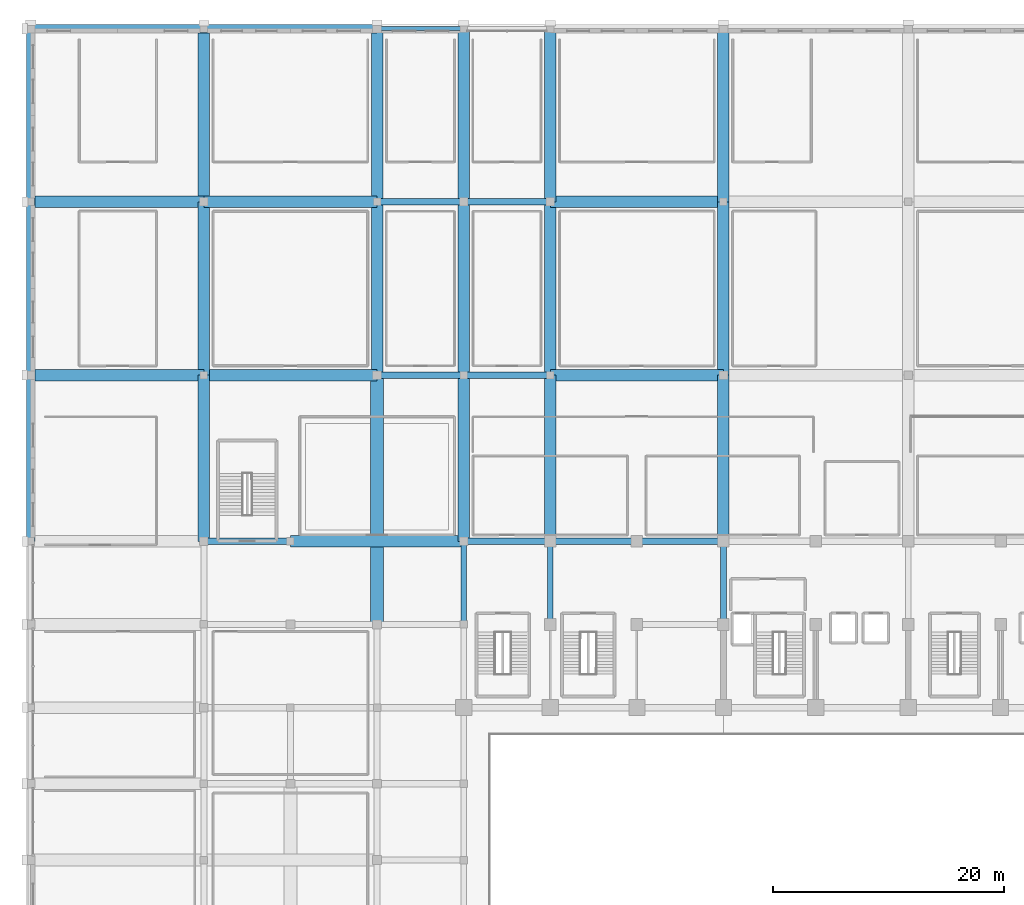
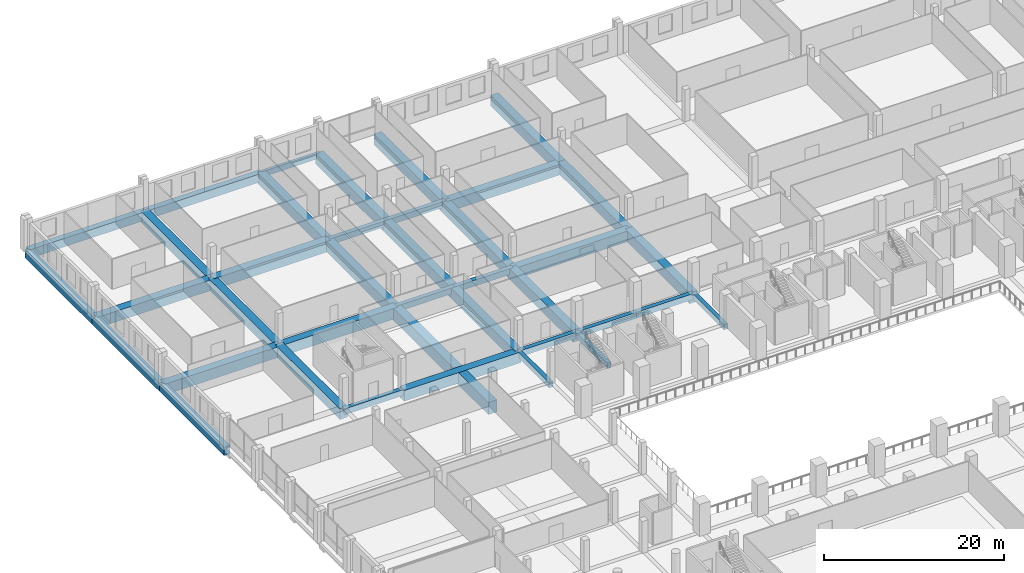
# One storey, part 27 of 64: 39 beams.
"""IFC4 building model written with IfcOpenShell, lengths in metres."""

import ifcopenshell
import ifcopenshell.guid

model = None  # the IFC model being written
_history = None  # IfcOwnerHistory: only IFC2X3 demands one
_inside = {}  # id of a spatial element -> (the spatial element, [elements in it])
_under = {}  # id of a project, library or spatial element -> (it, [spatial elements below it])
_declared = {}  # id of a project -> (the project, [libraries it declares])
_typed = {}  # id of a type object -> (the type object, [elements of that type])
_made_of = {}  # id of a material, layer set ... -> (it, [elements and type objects made of it])


def new_model(schema):
    """Start an empty IFC model of exactly this schema.

    Asked for "IFC4X3", IfcOpenShell would pick the latest addendum, in which some entities
    have other attributes; the version numbers below select the first issue.
    IFC2X3 requires an IfcOwnerHistory on every rooted entity: one is made here for all.
    """
    global model, _history
    if schema == "IFC4X3":
        model = ifcopenshell.file(schema_version=(4, 3, 0, 0))
    else:
        model = ifcopenshell.file(schema=schema)
    _inside.clear()
    _under.clear()
    _declared.clear()
    _typed.clear()
    _made_of.clear()
    _history = None
    if model.schema == "IFC2X3":
        org = make("IfcOrganization", Name="unknown")
        user = make(
            "IfcPersonAndOrganization",
            ThePerson=make("IfcPerson", FamilyName="unknown"),
            TheOrganization=org,
        )
        app = make(
            "IfcApplication",
            ApplicationDeveloper=org,
            Version="unknown",
            ApplicationFullName="unknown",
            ApplicationIdentifier="unknown",
        )
        _history = make(
            "IfcOwnerHistory",
            OwningUser=user,
            OwningApplication=app,
            ChangeAction="ADDED",
            CreationDate=0,
        )
    return model


def make(cls, **values):
    """One entity of the class cls with the attributes given. An attribute that is None is left unset."""
    return model.create_entity(
        cls, **{name: value for name, value in values.items() if value is not None}
    )


def rooted(cls, **values):
    """An entity with a GlobalId (a new one), such as an element, a storey or a relation."""
    return make(cls, GlobalId=ifcopenshell.guid.new(), OwnerHistory=_history, **values)


def si_unit(unit_type, name, prefix=None):
    """IfcSIUnit, for example si_unit("LENGTHUNIT", "METRE", prefix="MILLI")."""
    return make("IfcSIUnit", UnitType=unit_type, Prefix=prefix, Name=name)


def assignment(units):
    """IfcUnitAssignment: the units of a project."""
    return None if units is None else make("IfcUnitAssignment", Units=units)


def point(xyz):
    """IfcCartesianPoint."""
    return None if xyz is None else make("IfcCartesianPoint", Coordinates=xyz)


def direction(xyz):
    """IfcDirection."""
    return None if xyz is None else make("IfcDirection", DirectionRatios=xyz)


def frame(location, z_axis=None, x_axis=None):
    """IfcAxis2Placement3D, a coordinate frame: its origin and axes. An axis left out is left unset."""
    return make(
        "IfcAxis2Placement3D",
        Location=point(location),
        Axis=direction(z_axis),
        RefDirection=direction(x_axis),
    )


def frame_2d(location, x_axis=None):
    """IfcAxis2Placement2D, a coordinate frame in the plane: its origin and x axis."""
    return make(
        "IfcAxis2Placement2D", Location=point(location), RefDirection=direction(x_axis)
    )


def origin():
    """The frame at (0, 0, 0) with its axes left unset."""
    return frame((0.0, 0.0, 0.0))


def origin_2d():
    """The frame at (0, 0) in the plane with its x axis left unset."""
    return frame_2d((0.0, 0.0))


def place(relative_to, where):
    """IfcLocalPlacement: puts the frame where relative to a parent placement (None: the world)."""
    return make(
        "IfcLocalPlacement", PlacementRelTo=relative_to, RelativePlacement=where
    )


def context(
    kind, dimensions, precision=None, world=None, true_north=None, identifier=None
):
    """IfcGeometricRepresentationContext, for example the 3D "Model" context."""
    return make(
        "IfcGeometricRepresentationContext",
        ContextIdentifier=identifier,
        ContextType=kind,
        CoordinateSpaceDimension=dimensions,
        Precision=precision,
        WorldCoordinateSystem=world,
        TrueNorth=true_north,
    )


def subcontext(parent, identifier, kind, view, scale=None):
    """IfcGeometricRepresentationSubContext, for example "Body" below "Model"."""
    return make(
        "IfcGeometricRepresentationSubContext",
        ContextIdentifier=identifier,
        ContextType=kind,
        ParentContext=parent,
        TargetScale=scale,
        TargetView=view,
    )


def project(units=None, contexts=None):
    """IfcProject with its units and contexts."""
    return rooted(
        "IfcProject",
        Name="project",
        RepresentationContexts=contexts,
        UnitsInContext=assignment(units),
    )


def spatial(cls, under=None, at=None, **own):
    """A site, building, storey or space (cls), placed at a placement, below another one or the project."""
    s = rooted(cls, ObjectPlacement=at, **own)
    if under is not None:
        _under.setdefault(under.id(), (under, []))[1].append(s)
    return s


def profile(cls, at=None, kind="AREA", **sizes):
    """A parametric profile (cls). Its sizes go by their IFC names, for example OverallWidth=200.0."""
    return make(cls, ProfileType=kind, Position=at, **sizes)


def rectangle(**sizes):
    """IfcRectangleProfileDef."""
    return profile("IfcRectangleProfileDef", **sizes)


def extrude(swept, where, along, depth):
    """IfcExtrudedAreaSolid: the profile swept, set in the frame where, extruded along a direction by depth."""
    return make(
        "IfcExtrudedAreaSolid",
        SweptArea=swept,
        Position=where,
        ExtrudedDirection=direction(along),
        Depth=depth,
    )


def shape(context_of_items, identifier, shape_type, items):
    """IfcShapeRepresentation: the items that make up one representation, for example the "Body"."""
    return make(
        "IfcShapeRepresentation",
        ContextOfItems=context_of_items,
        RepresentationIdentifier=identifier,
        RepresentationType=shape_type,
        Items=items,
    )


def material(Name=None, Category=None):
    """IfcMaterial."""
    return make("IfcMaterial", Name=Name, Category=Category)


def material_profile(
    of_material, cross_section, Name=None, Category=None, Priority=None
):
    """IfcMaterialProfile: a cross section and its material."""
    return make(
        "IfcMaterialProfile",
        Name=Name,
        Material=of_material,
        Profile=cross_section,
        Priority=Priority,
        Category=Category,
    )


def profile_set(profiles, Name=None, composite=None):
    """IfcMaterialProfileSet."""
    return make(
        "IfcMaterialProfileSet",
        Name=Name,
        MaterialProfiles=profiles,
        CompositeProfile=composite,
    )


def made_of(thing, what):
    """Note that an element or type object is made of a material, layer set ...; save() writes the relation."""
    if what is not None:
        _made_of.setdefault(what.id(), (what, []))[1].append(thing)
    return thing


def type_object(cls, material=None, **own):
    """A type object (cls), such as IfcWallType, which elements share."""
    return made_of(rooted(cls, **own), material)


def element(
    cls,
    number,
    at=None,
    inside=None,
    cuts=None,
    type_object=None,
    material=None,
    context=None,
    identifier="Body",
    shape_type=None,
    held_by="IfcProductDefinitionShape",
    body=None,
    shapes=None,
    **own,
):
    """One element of the class cls, such as IfcWall. Its Tag is "e" and its number.

    at: its placement. inside: the storey or other place that contains it. cuts: it is an
    opening in that element (IfcRelVoidsElement). A single representation is given by context,
    identifier, shape_type and body (its items); several are given by shapes. held_by: the class
    of the entity that holds the representations. save() writes the other relations.
    """
    e = rooted(cls, Tag="e%d" % number, ObjectPlacement=at, **own)
    if body is not None:
        shapes = [shape(context, identifier, shape_type, body)]
    if shapes is not None:
        e.Representation = make(held_by, Representations=shapes)
    if inside is not None:
        _inside.setdefault(inside.id(), (inside, []))[1].append(e)
    if cuts is not None:
        rooted(
            "IfcRelVoidsElement", RelatingBuildingElement=cuts, RelatedOpeningElement=e
        )
    if type_object is not None:
        _typed.setdefault(type_object.id(), (type_object, []))[1].append(e)
    return made_of(e, material)


def aggregate(whole, parts):
    """IfcRelAggregates: a whole, such as a stair, and the parts it consists of."""
    return rooted("IfcRelAggregates", RelatingObject=whole, RelatedObjects=parts)


def save(model, path):
    """Write the relations noted so far, then the file.

    IfcRelAggregates (storeys below a building ...), IfcRelContainedInSpatialStructure (elements
    in a storey), IfcRelDefinesByType, IfcRelAssociatesMaterial and IfcRelDeclares: one each for
    every whole, place, type object, material and project.
    """
    for whole, parts in _under.values():
        aggregate(whole, parts)
    for where, things in _inside.values():
        rooted(
            "IfcRelContainedInSpatialStructure",
            RelatedElements=things,
            RelatingStructure=where,
        )
    for kind, things in _typed.values():
        rooted("IfcRelDefinesByType", RelatedObjects=things, RelatingType=kind)
    for what, things in _made_of.values():
        rooted("IfcRelAssociatesMaterial", RelatedObjects=things, RelatingMaterial=what)
    for by, libraries in _declared.values():
        rooted("IfcRelDeclares", RelatingContext=by, RelatedDefinitions=libraries)
    model.write(path)


model = new_model("IFC4")

# Units and contexts
model_context = context("Model", 3, precision=1e-05, world=origin(), true_north=direction((0.0, 1.0)))
body_context = subcontext(model_context, "Body", "Model", "MODEL_VIEW")
ifc_project = project(units=[si_unit("LENGTHUNIT", "METRE"), si_unit("AREAUNIT", "SQUARE_METRE"), si_unit("VOLUMEUNIT", "CUBIC_METRE"), si_unit("PLANEANGLEUNIT", "RADIAN"), si_unit("MASSUNIT", "GRAM", prefix="KILO")], contexts=[model_context])

# Site, building, storey
site_placement = place(None, origin())
site = spatial("IfcSite", under=ifc_project, at=site_placement, CompositionType="ELEMENT")
building_placement = place(site_placement, origin())
building = spatial("IfcBuilding", under=site, at=building_placement, Name="Akrevak Sports Hall", CompositionType="ELEMENT")
storey_placement = place(building_placement, frame((0.0, 0.0, 4.60009765625)))
storey = spatial("IfcBuildingStorey", under=building, at=storey_placement, Name="L01", CompositionType="ELEMENT", Elevation=4.60009765625)

# Beams
ifc_material_1 = material(Name="Concrete C50/60", Category="concrete")
ifc_material_profile_1 = material_profile(ifc_material_1, rectangle(XDim=1.0, YDim=1.449951171875, at=origin_2d()), Name="BM 1000x1450", Category="concrete")
ifc_profile_set_1 = profile_set([ifc_material_profile_1], Name="Concrete C50/60")
beam_type_1 = type_object("IfcBeamType", Name="STR-BM-LG1000x1450", PredefinedType="BEAM", material=ifc_profile_set_1)
for number, where, z_axis, x_axis, name in (
    (1, (22.5, 69.60009765625, -0.72509765625), (1.0, 0.0, 0.0), (0.0, 1.0, 0.0), "Girder K/4-6 (L01)"),
    (2, (0.0, 84.0, -0.72509765625), (1.0, 0.0, 0.0), (0.0, 1.0, 0.0), "Girder M/1-3 (L01)"),
    (3, (15.0, 84.0, -0.72509765625), (1.0, 0.0, 0.0), (0.0, 1.0, 0.0), "Girder M/3-5 (L01)"),
    (4, (45.0, 84.0, -0.72509765625), (1.0, 0.0, 0.0), (0.0, 1.0, 0.0), "Girder M/7-9 (L01)"),
    (5, (0.0, 99.0, -0.72509765625), (1.0, 0.0, 0.0), (0.0, 1.0, 0.0), "Girder O/1-3 (L01)"),
    (6, (15.0, 99.0, -0.72509765625), (1.0, 0.0, 0.0), (0.0, 1.0, 0.0), "Girder O/3-5 (L01)"),
    (7, (45.0, 99.0, -0.72509765625), (1.0, 0.0, 0.0), (0.0, 1.0, 0.0), "Girder O/7-9 (L01)"),
):
    element("IfcBeam", number, at=place(storey_placement, frame(where, z_axis=z_axis, x_axis=x_axis)), inside=storey, type_object=beam_type_1, Name=name, PredefinedType="BEAM", context=body_context, shape_type="SweptSolid", body=[
        extrude(rectangle(XDim=1.0, YDim=1.449951171875, at=origin_2d()), origin(), (0.0, 0.0, 1.0), 15.0),
    ])
beam_1_placement = place(storey_placement, frame((15.0, 69.60009765625, -0.72509765625), z_axis=(0.0, 1.0, 0.0), x_axis=(-1.0, 0.0, 0.0)))
element("IfcBeam", 8, at=beam_1_placement, inside=storey, type_object=beam_type_1, Name="Girder 3/K-M (L01)", PredefinedType="BEAM", context=body_context, shape_type="SweptSolid", body=[
    extrude(rectangle(XDim=1.0, YDim=1.449951171875, at=origin_2d()), origin(), (0.0, 0.0, 1.0), 14.39990234375),
])
for number, where, z_axis, x_axis, name in (
    (9, (15.0, 84.0, -0.72509765625), (0.0, 1.0, 0.0), (-1.0, 0.0, 0.0), "Girder 3/M-O (L01)"),
    (10, (15.0, 99.0, -0.72509765625), (0.0, 1.0, 0.0), (-1.0, 0.0, 0.0), "Girder 3/O-Q (L01)"),
    (11, (30.0, 84.0, -0.72509765625), (0.0, 1.0, 0.0), (-1.0, 0.0, 0.0), "Girder 5/M-O (L01)"),
    (12, (30.0, 99.0, -0.72509765625), (0.0, 1.0, 0.0), (-1.0, 0.0, 0.0), "Girder 5/O-Q (L01)"),
):
    element("IfcBeam", number, at=place(storey_placement, frame(where, z_axis=z_axis, x_axis=x_axis)), inside=storey, type_object=beam_type_1, Name=name, PredefinedType="BEAM", context=body_context, shape_type="SweptSolid", body=[
        extrude(rectangle(XDim=1.0, YDim=1.449951171875, at=origin_2d()), origin(), (0.0, 0.0, 1.0), 15.0),
    ])
beam_2_placement = place(storey_placement, frame((37.5, 69.60009765625, -0.72509765625), z_axis=(0.0, 1.0, 0.0), x_axis=(-1.0, 0.0, 0.0)))
element("IfcBeam", 13, at=beam_2_placement, inside=storey, type_object=beam_type_1, Name="Girder 6/K-M (L01)", PredefinedType="BEAM", context=body_context, shape_type="SweptSolid", body=[
    extrude(rectangle(XDim=1.0, YDim=1.449951171875, at=origin_2d()), origin(), (0.0, 0.0, 1.0), 14.39990234375),
])
for number, where, z_axis, x_axis, name in (
    (14, (37.5, 84.0, -0.72509765625), (0.0, 1.0, 0.0), (-1.0, 0.0, 0.0), "Girder 6/M-O (L01)"),
    (15, (37.5, 99.0, -0.72509765625), (0.0, 1.0, 0.0), (-1.0, 0.0, 0.0), "Girder 6/O-Q (L01)"),
):
    element("IfcBeam", number, at=place(storey_placement, frame(where, z_axis=z_axis, x_axis=x_axis)), inside=storey, type_object=beam_type_1, Name=name, PredefinedType="BEAM", context=body_context, shape_type="SweptSolid", body=[
        extrude(rectangle(XDim=1.0, YDim=1.449951171875, at=origin_2d()), origin(), (0.0, 0.0, 1.0), 15.0),
    ])
beam_3_placement = place(storey_placement, frame((45.0, 69.60009765625, -0.72509765625), z_axis=(0.0, 1.0, 0.0), x_axis=(-1.0, 0.0, 0.0)))
element("IfcBeam", 16, at=beam_3_placement, inside=storey, type_object=beam_type_1, Name="Girder 7/K-M (L01)", PredefinedType="BEAM", context=body_context, shape_type="SweptSolid", body=[
    extrude(rectangle(XDim=1.0, YDim=1.449951171875, at=origin_2d()), origin(), (0.0, 0.0, 1.0), 14.39990234375),
])
for number, where, z_axis, x_axis, name in (
    (17, (45.0, 84.0, -0.72509765625), (0.0, 1.0, 0.0), (-1.0, 0.0, 0.0), "Girder 7/M-O (L01)"),
    (18, (45.0, 99.0, -0.72509765625), (0.0, 1.0, 0.0), (-1.0, 0.0, 0.0), "Girder 7/O-Q (L01)"),
):
    element("IfcBeam", number, at=place(storey_placement, frame(where, z_axis=z_axis, x_axis=x_axis)), inside=storey, type_object=beam_type_1, Name=name, PredefinedType="BEAM", context=body_context, shape_type="SweptSolid", body=[
        extrude(rectangle(XDim=1.0, YDim=1.449951171875, at=origin_2d()), origin(), (0.0, 0.0, 1.0), 15.0),
    ])
beam_4_placement = place(storey_placement, frame((60.0, 69.60009765625, -0.72509765625), z_axis=(0.0, 1.0, 0.0), x_axis=(-1.0, 0.0, 0.0)))
element("IfcBeam", 19, at=beam_4_placement, inside=storey, type_object=beam_type_1, Name="Girder 9/K-M (L01)", PredefinedType="BEAM", context=body_context, shape_type="SweptSolid", body=[
    extrude(rectangle(XDim=1.0, YDim=1.449951171875, at=origin_2d()), origin(), (0.0, 0.0, 1.0), 14.39990234375),
])
for number, where, z_axis, x_axis, name in (
    (20, (60.0, 84.0, -0.72509765625), (0.0, 1.0, 0.0), (-1.0, 0.0, 0.0), "Girder 9/M-O (L01)"),
    (21, (60.0, 99.0, -0.72509765625), (0.0, 1.0, 0.0), (-1.0, 0.0, 0.0), "Girder 9/O-Q (L01)"),
):
    element("IfcBeam", number, at=place(storey_placement, frame(where, z_axis=z_axis, x_axis=x_axis)), inside=storey, type_object=beam_type_1, Name=name, PredefinedType="BEAM", context=body_context, shape_type="SweptSolid", body=[
        extrude(rectangle(XDim=1.0, YDim=1.449951171875, at=origin_2d()), origin(), (0.0, 0.0, 1.0), 15.0),
    ])
ifc_material_profile_2 = material_profile(ifc_material_1, rectangle(XDim=1.10009765625, YDim=1.64990234375, at=origin_2d()), Name="BM 1100x1650", Category="concrete")
ifc_profile_set_2 = profile_set([ifc_material_profile_2], Name="Concrete C50/60")
beam_type_2 = type_object("IfcBeamType", Name="STR-BM-LG1100x1650", PredefinedType="BEAM", material=ifc_profile_set_2)
beam_5_placement = place(storey_placement, frame((30.0, 62.39990234375, -0.8251953125), z_axis=(0.0, 1.0, 0.0), x_axis=(-1.0, 0.0, 0.0)))
element("IfcBeam", 22, at=beam_5_placement, inside=storey, type_object=beam_type_2, Name="Girder 5/J-M (L01)", PredefinedType="BEAM", context=body_context, shape_type="SweptSolid", body=[
    extrude(rectangle(XDim=1.10009765625, YDim=1.64990234375, at=origin_2d()), origin(), (0.0, 0.0, 1.0), 21.60009765625),
])
ifc_material_2 = material(Name="Concrete C40/50", Category="concrete")
ifc_material_profile_3 = material_profile(ifc_material_2, rectangle(XDim=0.5, YDim=0.75, at=origin_2d()), Name="BM 500x750", Category="concrete")
ifc_profile_set_3 = profile_set([ifc_material_profile_3], Name="Concrete C40/50")
beam_type_3 = type_object("IfcBeamType", Name="STR-BM-RC500x750", PredefinedType="BEAM", material=ifc_profile_set_3)
for number, where, z_axis, x_axis, name in (
    (23, (37.5, 62.39990234375, -0.375), (0.0, 1.0, 0.0), (-1.0, 0.0, 0.0), "Girder 6/J-K (L01)"),
    (24, (45.0, 62.39990234375, -0.375), (0.0, 1.0, 0.0), (-1.0, 0.0, 0.0), "Girder 7/J-K (L01)"),
    (25, (60.0, 62.39990234375, -0.375), (0.0, 1.0, 0.0), (-1.0, 0.0, 0.0), "Girder 9/J-K (L01)"),
):
    element("IfcBeam", number, at=place(storey_placement, frame(where, z_axis=z_axis, x_axis=x_axis)), inside=storey, type_object=beam_type_3, Name=name, PredefinedType="BEAM", context=body_context, shape_type="SweptSolid", body=[
        extrude(rectangle(XDim=0.5, YDim=0.75, at=origin_2d()), origin(), (0.0, 0.0, 1.0), 7.2001953125),
    ])
ifc_material_profile_4 = material_profile(ifc_material_2, rectangle(XDim=0.550048828125, YDim=0.800048828125, at=origin_2d()), Name="BM 550x800", Category="concrete")
ifc_profile_set_4 = profile_set([ifc_material_profile_4], Name="Concrete C40/50")
beam_type_4 = type_object("IfcBeamType", Name="STR-BM-RC550x800", PredefinedType="BEAM", material=ifc_profile_set_4)
for number, where, z_axis, x_axis, name in (
    (26, (15.0, 69.60009765625, -0.400146484375), (1.0, 0.0, 0.0), (0.0, 1.0, 0.0), "Girder K/3-4 (L01)"),
    (27, (37.5, 69.60009765625, -0.400146484375), (1.0, 0.0, 0.0), (0.0, 1.0, 0.0), "Girder K/6-7 (L01)"),
    (28, (45.0, 69.60009765625, -0.400146484375), (1.0, 0.0, 0.0), (0.0, 1.0, 0.0), "Girder K/7-8 (L01)"),
    (29, (52.5, 69.60009765625, -0.400146484375), (1.0, 0.0, 0.0), (0.0, 1.0, 0.0), "Girder K/8-9 (L01)"),
    (30, (30.0, 84.0, -0.400146484375), (1.0, 0.0, 0.0), (0.0, 1.0, 0.0), "Girder M/5-6 (L01)"),
    (31, (37.5, 84.0, -0.400146484375), (1.0, 0.0, 0.0), (0.0, 1.0, 0.0), "Girder M/6-7 (L01)"),
    (32, (30.0, 99.0, -0.400146484375), (1.0, 0.0, 0.0), (0.0, 1.0, 0.0), "Girder O/5-6 (L01)"),
    (33, (37.5, 99.0, -0.400146484375), (1.0, 0.0, 0.0), (0.0, 1.0, 0.0), "Girder O/6-7 (L01)"),
):
    element("IfcBeam", number, at=place(storey_placement, frame(where, z_axis=z_axis, x_axis=x_axis)), inside=storey, type_object=beam_type_4, Name=name, PredefinedType="BEAM", context=body_context, shape_type="SweptSolid", body=[
        extrude(rectangle(XDim=0.550048828125, YDim=0.800048828125, at=origin_2d()), origin(), (0.0, 0.0, 1.0), 7.5),
    ])
ifc_material_profile_5 = material_profile(ifc_material_1, rectangle(XDim=0.75, YDim=1.14990234375, at=origin_2d()), Name="SPD 750x1150", Category="concrete")
ifc_profile_set_5 = profile_set([ifc_material_profile_5], Name="Concrete C50/60")
beam_type_5 = type_object("IfcBeamType", Name="STR-SPD-LSP750x1150", PredefinedType="SPANDREL", material=ifc_profile_set_5)
for number, where, z_axis, x_axis, name in (
    (34, (0.0, 114.0, -0.5751953125), (1.0, 0.0, 0.0), (0.0, 1.0, 0.0), "Girder Q/1-3 (L01)"),
    (35, (15.0, 114.0, -0.5751953125), (1.0, 0.0, 0.0), (0.0, 1.0, 0.0), "Girder Q/3-5 (L01)"),
):
    element("IfcBeam", number, at=place(storey_placement, frame(where, z_axis=z_axis, x_axis=x_axis)), inside=storey, type_object=beam_type_5, Name=name, PredefinedType="SPANDREL", context=body_context, shape_type="SweptSolid", body=[
        extrude(rectangle(XDim=0.75, YDim=1.14990234375, at=origin_2d()), origin(), (0.0, 0.0, 1.0), 15.0),
    ])
beam_6_placement = place(storey_placement, frame((0.0, 69.60009765625, -0.5751953125), z_axis=(0.0, 1.0, 0.0), x_axis=(-1.0, 0.0, 0.0)))
element("IfcBeam", 36, at=beam_6_placement, inside=storey, type_object=beam_type_5, Name="Girder 1/K-M (L01)", PredefinedType="SPANDREL", context=body_context, shape_type="SweptSolid", body=[
    extrude(rectangle(XDim=0.75, YDim=1.14990234375, at=origin_2d()), origin(), (0.0, 0.0, 1.0), 14.39990234375),
])
for number, where, z_axis, x_axis, name in (
    (37, (0.0, 84.0, -0.5751953125), (0.0, 1.0, 0.0), (-1.0, 0.0, 0.0), "Girder 1/M-O (L01)"),
    (38, (0.0, 99.0, -0.5751953125), (0.0, 1.0, 0.0), (-1.0, 0.0, 0.0), "Girder 1/O-Q (L01)"),
):
    element("IfcBeam", number, at=place(storey_placement, frame(where, z_axis=z_axis, x_axis=x_axis)), inside=storey, type_object=beam_type_5, Name=name, PredefinedType="SPANDREL", context=body_context, shape_type="SweptSolid", body=[
        extrude(rectangle(XDim=0.75, YDim=1.14990234375, at=origin_2d()), origin(), (0.0, 0.0, 1.0), 15.0),
    ])
ifc_material_profile_6 = material_profile(ifc_material_2, rectangle(XDim=0.35009765625, YDim=0.75, at=origin_2d()), Name="SPD 350x750", Category="concrete")
ifc_profile_set_6 = profile_set([ifc_material_profile_6], Name="Concrete C40/50")
beam_type_6 = type_object("IfcBeamType", Name="STR-SPD-RC350x750", PredefinedType="SPANDREL", material=ifc_profile_set_6)
beam_7_placement = place(storey_placement, frame((30.0, 114.0, -0.375), z_axis=(1.0, 0.0, 0.0), x_axis=(0.0, 1.0, 0.0)))
element("IfcBeam", 39, at=beam_7_placement, inside=storey, type_object=beam_type_6, Name="Girder Q/5-6 (L01)", PredefinedType="SPANDREL", context=body_context, shape_type="SweptSolid", body=[
    extrude(rectangle(XDim=0.35009765625, YDim=0.75, at=origin_2d()), origin(), (0.0, 0.0, 1.0), 7.5),
])

save(model, "model.ifc")
